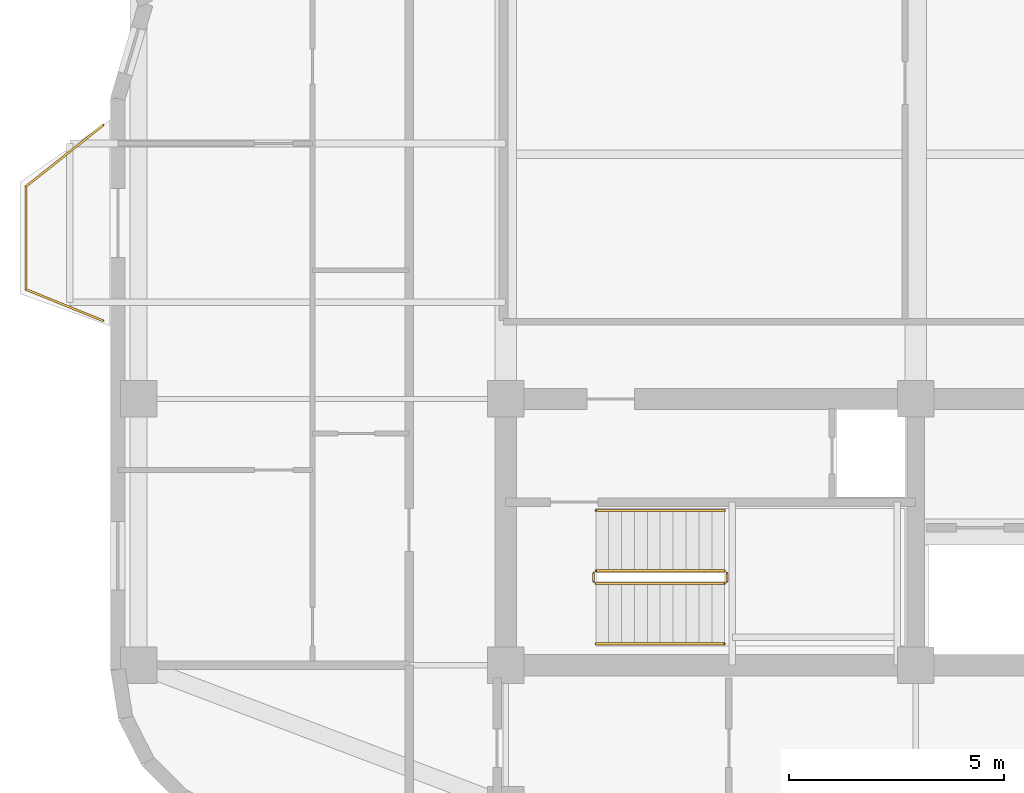
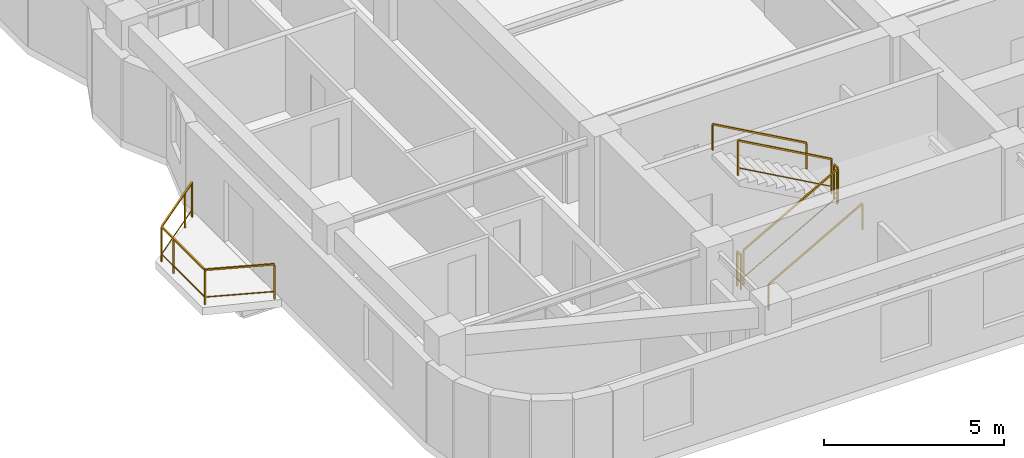
# One storey, part 8 of 9: 7 railings.
"""IFC4 building model written with IfcOpenShell, lengths in metres."""

from ifc_helpers import new_model, si_unit, direction, frame, origin, origin_2d, place, context, subcontext, project, spatial, rectangle, extrude, material, type_object, element, save


model = new_model("IFC4")

# Units and contexts
model_context = context("Model", 3, precision=1e-05, world=origin(), true_north=direction((0.0, 1.0)))
body_context = subcontext(model_context, "Body", "Model", "MODEL_VIEW")
ifc_project = project(units=[si_unit("LENGTHUNIT", "METRE"), si_unit("AREAUNIT", "SQUARE_METRE"), si_unit("VOLUMEUNIT", "CUBIC_METRE"), si_unit("PLANEANGLEUNIT", "RADIAN"), si_unit("MASSUNIT", "GRAM", prefix="KILO")], contexts=[model_context])

# Site, building, storey
site_placement = place(None, origin())
site = spatial("IfcSite", under=ifc_project, at=site_placement, CompositionType="ELEMENT")
building_placement = place(site_placement, origin())
building = spatial("IfcBuilding", under=site, at=building_placement, Name="Svetorya Sky Lyceum", CompositionType="ELEMENT")
storey_placement = place(building_placement, frame((0.0, 0.0, 207.300048828125)))
storey = spatial("IfcBuildingStorey", under=building, at=storey_placement, Name="L51", CompositionType="ELEMENT", Elevation=207.300048828125)

# Railings
ifc_material_1 = material(Name="Laminated safety glass and stainless AISI 316", Category="glass")
railing_type_1 = type_object("IfcRailingType", Name="RL-BAL-1200", PredefinedType="BALUSTRADE", material=ifc_material_1)
railing_1_placement = place(storey_placement, frame((16.22998046875, 18.6201171875, 0.0)))
element("IfcRailing", 1, at=railing_1_placement, inside=storey, type_object=railing_type_1, Name="L51 Balcony Balustrade BAL-W1", PredefinedType="BALUSTRADE", context=body_context, shape_type="SweptSolid", body=[
    extrude(rectangle(XDim=0.048095703125, YDim=0.048095703125, at=origin_2d()), frame((0.0, 0.0, 1.17578125), z_axis=(-0.926697865975, 0.375807218129, 0.0), x_axis=(-0.375807218129, -0.926697865975, 0.0)), (0.0, 0.0, 1.0), 1.9423828125),
    extrude(rectangle(XDim=0.02392578125, YDim=0.02392578125, at=origin_2d()), frame((0.0, 0.0, 0.25), z_axis=(-0.926697865975, 0.375807218129, 0.0), x_axis=(-0.375807218129, -0.926697865975, 0.0)), (0.0, 0.0, 1.0), 1.9423828125),
    extrude(rectangle(XDim=0.048095703125, YDim=0.048095703125, at=origin_2d()), frame((-1.800048828125, 0.72998046875, 1.17578125), z_axis=(0.0, 1.0, 0.0), x_axis=(-1.0, 0.0, 0.0)), (0.0, 0.0, 1.0), 2.39990234375),
    extrude(rectangle(XDim=0.02392578125, YDim=0.02392578125, at=origin_2d()), frame((-1.800048828125, 0.72998046875, 0.25), z_axis=(0.0, 1.0, 0.0), x_axis=(-1.0, 0.0, 0.0)), (0.0, 0.0, 1.0), 2.39990234375),
    extrude(rectangle(XDim=0.048095703125, YDim=0.048095703125, at=origin_2d()), frame((-1.800048828125, 3.1298828125, 1.17578125), z_axis=(0.783008919264, 0.622010476079, 0.0), x_axis=(-0.622010476079, 0.783008919264, 0.0)), (0.0, 0.0, 1.0), 2.298828125),
    extrude(rectangle(XDim=0.02392578125, YDim=0.02392578125, at=origin_2d()), frame((-1.800048828125, 3.1298828125, 0.25), z_axis=(0.783008919264, 0.622010476079, 0.0), x_axis=(-0.622010476079, 0.783008919264, 0.0)), (0.0, 0.0, 1.0), 2.298828125),
    extrude(rectangle(XDim=0.0419921875, YDim=0.0419921875, at=origin_2d()), origin(), (0.0, 0.0, 1.0), 1.15185546875),
    extrude(rectangle(XDim=0.0419921875, YDim=0.0419921875, at=origin_2d()), frame((-1.800048828125, 0.72998046875, 0.0)), (0.0, 0.0, 1.0), 1.15185546875),
    extrude(rectangle(XDim=0.0419921875, YDim=0.0419921875, at=origin_2d()), frame((-1.800048828125, 2.47998046875, 0.0)), (0.0, 0.0, 1.0), 1.15185546875),
    extrude(rectangle(XDim=0.0419921875, YDim=0.0419921875, at=origin_2d()), frame((-1.800048828125, 3.1298828125, 0.0)), (0.0, 0.0, 1.0), 1.15185546875),
    extrude(rectangle(XDim=0.0419921875, YDim=0.0419921875, at=origin_2d()), frame((-0.4296875, 4.218505859375, 0.0)), (0.0, 0.0, 1.0), 1.15185546875),
    extrude(rectangle(XDim=0.0419921875, YDim=0.0419921875, at=origin_2d()), frame((0.0, 4.559814453125, 0.0)), (0.0, 0.0, 1.0), 1.15185546875),
])
ifc_material_2 = material(Name="Painted galvanized stair well guard")
railing_type_2 = type_object("IfcRailingType", Name="RL-STR-GUARD-1200", PredefinedType="GUARDRAIL", material=ifc_material_2)
railing_2_placement = place(storey_placement, frame((27.699951171875, 12.5, 0.168212890625)))
element("IfcRailing", 2, at=railing_2_placement, inside=storey, type_object=railing_type_2, Name="L51 ST-S stair guard 1", PredefinedType="GUARDRAIL", context=body_context, shape_type="SweptSolid", body=[
    extrude(rectangle(XDim=0.048095703125, YDim=0.048095703125, at=origin_2d()), frame((0.0, 0.0, 1.17578125), z_axis=(0.872302573547, 0.0, 0.488966481656), x_axis=(0.0, 1.0, 0.0)), (0.0, 0.0, 1.0), 3.439208984375),
    extrude(rectangle(XDim=0.02392578125, YDim=0.02392578125, at=origin_2d()), frame((0.0, 0.0, 0.25), z_axis=(0.872302573547, 0.0, 0.488966481656), x_axis=(0.0, 1.0, 0.0)), (0.0, 0.0, 1.0), 3.439208984375),
    extrude(rectangle(XDim=0.0419921875, YDim=0.0419921875, at=origin_2d()), origin(), (0.0, 0.0, 1.0), 1.15185546875),
    extrude(rectangle(XDim=0.0419921875, YDim=0.0419921875, at=origin_2d()), frame((3.0, 0.0, 1.681640625)), (0.0, 0.0, 1.0), 1.15185546875),
])
railing_3_placement = place(storey_placement, frame((30.75, 12.550048828125, 1.849853515625)))
element("IfcRailing", 3, at=railing_3_placement, inside=storey, type_object=railing_type_2, Name="L51 ST-S stair guard 2", PredefinedType="GUARDRAIL", context=body_context, shape_type="SweptSolid", body=[
    extrude(rectangle(XDim=0.048095703125, YDim=0.048095703125, at=origin_2d()), frame((0.0, 0.0, 1.17578125), z_axis=(0.0, 1.0, 0.0), x_axis=(-1.0, 0.0, 0.0)), (0.0, 0.0, 1.0), 0.199951171875),
    extrude(rectangle(XDim=0.02392578125, YDim=0.02392578125, at=origin_2d()), frame((0.0, 0.0, 0.25), z_axis=(0.0, 1.0, 0.0), x_axis=(-1.0, 0.0, 0.0)), (0.0, 0.0, 1.0), 0.199951171875),
    extrude(rectangle(XDim=0.0419921875, YDim=0.0419921875, at=origin_2d()), origin(), (0.0, 0.0, 1.0), 1.15185546875),
    extrude(rectangle(XDim=0.0419921875, YDim=0.0419921875, at=origin_2d()), frame((0.0, 0.199951171875, 0.0)), (0.0, 0.0, 1.0), 1.15185546875),
])
railing_4_placement = place(storey_placement, frame((30.699951171875, 12.800048828125, 2.01806640625)))
element("IfcRailing", 4, at=railing_4_placement, inside=storey, type_object=railing_type_2, Name="L51 ST-S stair guard 3", PredefinedType="GUARDRAIL", context=body_context, shape_type="SweptSolid", body=[
    extrude(rectangle(XDim=0.048095703125, YDim=0.048095703125, at=origin_2d()), frame((0.0, 0.0, 1.17578125), z_axis=(-0.872272294576, 0.0, 0.489020494575), x_axis=(0.0, -1.0, 0.0)), (0.0, 0.0, 1.0), 3.439208984375),
    extrude(rectangle(XDim=0.02392578125, YDim=0.02392578125, at=origin_2d()), frame((0.0, 0.0, 0.25), z_axis=(-0.872272294576, 0.0, 0.489020494575), x_axis=(0.0, -1.0, 0.0)), (0.0, 0.0, 1.0), 3.439208984375),
    extrude(rectangle(XDim=0.0419921875, YDim=0.0419921875, at=origin_2d()), origin(), (0.0, 0.0, 1.0), 1.15185546875),
    extrude(rectangle(XDim=0.0419921875, YDim=0.0419921875, at=origin_2d()), frame((-3.0, 0.0, 1.681884765625)), (0.0, 0.0, 1.0), 1.15185546875),
])
railing_5_placement = place(storey_placement, frame((27.64990234375, 12.550048828125, 0.0)))
element("IfcRailing", 5, at=railing_5_placement, inside=storey, type_object=railing_type_2, Name="L51 ST-S stair guard 4", PredefinedType="GUARDRAIL", context=body_context, shape_type="SweptSolid", body=[
    extrude(rectangle(XDim=0.048095703125, YDim=0.048095703125, at=origin_2d()), frame((0.0, 0.0, 1.17578125), z_axis=(0.0, 1.0, 0.0), x_axis=(-1.0, 0.0, 0.0)), (0.0, 0.0, 1.0), 0.199951171875),
    extrude(rectangle(XDim=0.02392578125, YDim=0.02392578125, at=origin_2d()), frame((0.0, 0.0, 0.25), z_axis=(0.0, 1.0, 0.0), x_axis=(-1.0, 0.0, 0.0)), (0.0, 0.0, 1.0), 0.199951171875),
    extrude(rectangle(XDim=0.0419921875, YDim=0.0419921875, at=origin_2d()), origin(), (0.0, 0.0, 1.0), 1.15185546875),
    extrude(rectangle(XDim=0.0419921875, YDim=0.0419921875, at=origin_2d()), frame((0.0, 0.199951171875, 0.0)), (0.0, 0.0, 1.0), 1.15185546875),
])
ifc_material_3 = material(Name="Brushed stainless AISI 304 stair handrail")
railing_type_3 = type_object("IfcRailingType", Name="RL-STR-HAND-920", PredefinedType="HANDRAIL", material=ifc_material_3)
railing_6_placement = place(storey_placement, frame((27.699951171875, 11.10009765625, 0.168212890625)))
element("IfcRailing", 6, at=railing_6_placement, inside=storey, type_object=railing_type_3, Name="L51 ST-S stair handrail 1", PredefinedType="HANDRAIL", context=body_context, shape_type="SweptSolid", body=[
    extrude(rectangle(XDim=0.048095703125, YDim=0.048095703125, at=origin_2d()), frame((0.0, 0.0, 0.8759765625), z_axis=(0.872302573547, 0.0, 0.488966481656), x_axis=(0.0, 1.0, 0.0)), (0.0, 0.0, 1.0), 3.439208984375),
    extrude(rectangle(XDim=0.0419921875, YDim=0.0419921875, at=origin_2d()), origin(), (0.0, 0.0, 1.0), 0.851806640625),
    extrude(rectangle(XDim=0.0419921875, YDim=0.0419921875, at=origin_2d()), frame((3.0, 0.0, 1.681640625)), (0.0, 0.0, 1.0), 0.851806640625),
])
railing_7_placement = place(storey_placement, frame((30.699951171875, 14.199951171875, 2.01806640625)))
element("IfcRailing", 7, at=railing_7_placement, inside=storey, type_object=railing_type_3, Name="L51 ST-S stair handrail 2", PredefinedType="HANDRAIL", context=body_context, shape_type="SweptSolid", body=[
    extrude(rectangle(XDim=0.048095703125, YDim=0.048095703125, at=origin_2d()), frame((0.0, 0.0, 0.8759765625), z_axis=(-0.872272294576, 0.0, 0.489020494575), x_axis=(0.0, -1.0, 0.0)), (0.0, 0.0, 1.0), 3.439208984375),
    extrude(rectangle(XDim=0.0419921875, YDim=0.0419921875, at=origin_2d()), origin(), (0.0, 0.0, 1.0), 0.851806640625),
    extrude(rectangle(XDim=0.0419921875, YDim=0.0419921875, at=origin_2d()), frame((-3.0, 0.0, 1.681884765625)), (0.0, 0.0, 1.0), 0.851806640625),
])

save(model, "model.ifc")
